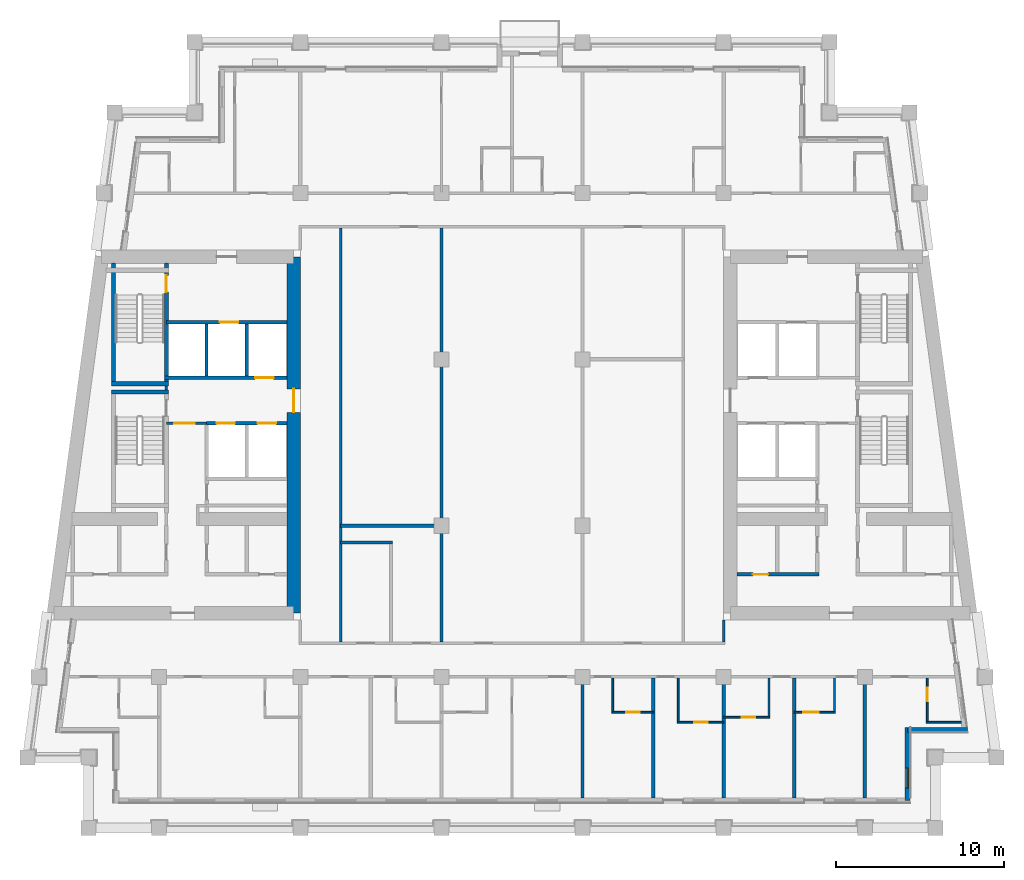
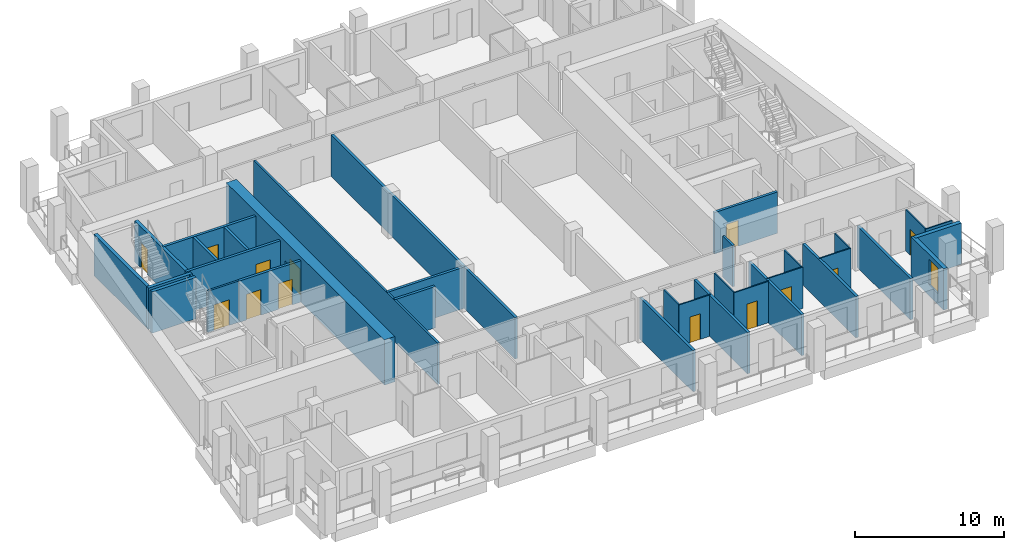
# One storey, part 4 of 13: 35 walls, 13 doors, 1 window, 14 openings.
"""IFC4 building model written with IfcOpenShell, lengths in metres."""

import ifcopenshell
import ifcopenshell.guid

model = None  # the IFC model being written
_history = None  # IfcOwnerHistory: only IFC2X3 demands one
_inside = {}  # id of a spatial element -> (the spatial element, [elements in it])
_under = {}  # id of a project, library or spatial element -> (it, [spatial elements below it])
_declared = {}  # id of a project -> (the project, [libraries it declares])
_typed = {}  # id of a type object -> (the type object, [elements of that type])
_made_of = {}  # id of a material, layer set ... -> (it, [elements and type objects made of it])


def new_model(schema):
    """Start an empty IFC model of exactly this schema.

    Asked for "IFC4X3", IfcOpenShell would pick the latest addendum, in which some entities
    have other attributes; the version numbers below select the first issue.
    IFC2X3 requires an IfcOwnerHistory on every rooted entity: one is made here for all.
    """
    global model, _history
    if schema == "IFC4X3":
        model = ifcopenshell.file(schema_version=(4, 3, 0, 0))
    else:
        model = ifcopenshell.file(schema=schema)
    _inside.clear()
    _under.clear()
    _declared.clear()
    _typed.clear()
    _made_of.clear()
    _history = None
    if model.schema == "IFC2X3":
        org = make("IfcOrganization", Name="unknown")
        user = make(
            "IfcPersonAndOrganization",
            ThePerson=make("IfcPerson", FamilyName="unknown"),
            TheOrganization=org,
        )
        app = make(
            "IfcApplication",
            ApplicationDeveloper=org,
            Version="unknown",
            ApplicationFullName="unknown",
            ApplicationIdentifier="unknown",
        )
        _history = make(
            "IfcOwnerHistory",
            OwningUser=user,
            OwningApplication=app,
            ChangeAction="ADDED",
            CreationDate=0,
        )
    return model


def make(cls, **values):
    """One entity of the class cls with the attributes given. An attribute that is None is left unset."""
    return model.create_entity(
        cls, **{name: value for name, value in values.items() if value is not None}
    )


def rooted(cls, **values):
    """An entity with a GlobalId (a new one), such as an element, a storey or a relation."""
    return make(cls, GlobalId=ifcopenshell.guid.new(), OwnerHistory=_history, **values)


def si_unit(unit_type, name, prefix=None):
    """IfcSIUnit, for example si_unit("LENGTHUNIT", "METRE", prefix="MILLI")."""
    return make("IfcSIUnit", UnitType=unit_type, Prefix=prefix, Name=name)


def assignment(units):
    """IfcUnitAssignment: the units of a project."""
    return None if units is None else make("IfcUnitAssignment", Units=units)


def point(xyz):
    """IfcCartesianPoint."""
    return None if xyz is None else make("IfcCartesianPoint", Coordinates=xyz)


def direction(xyz):
    """IfcDirection."""
    return None if xyz is None else make("IfcDirection", DirectionRatios=xyz)


def frame(location, z_axis=None, x_axis=None):
    """IfcAxis2Placement3D, a coordinate frame: its origin and axes. An axis left out is left unset."""
    return make(
        "IfcAxis2Placement3D",
        Location=point(location),
        Axis=direction(z_axis),
        RefDirection=direction(x_axis),
    )


def frame_2d(location, x_axis=None):
    """IfcAxis2Placement2D, a coordinate frame in the plane: its origin and x axis."""
    return make(
        "IfcAxis2Placement2D", Location=point(location), RefDirection=direction(x_axis)
    )


def origin():
    """The frame at (0, 0, 0) with its axes left unset."""
    return frame((0.0, 0.0, 0.0))


def place(relative_to, where):
    """IfcLocalPlacement: puts the frame where relative to a parent placement (None: the world)."""
    return make(
        "IfcLocalPlacement", PlacementRelTo=relative_to, RelativePlacement=where
    )


def context(
    kind, dimensions, precision=None, world=None, true_north=None, identifier=None
):
    """IfcGeometricRepresentationContext, for example the 3D "Model" context."""
    return make(
        "IfcGeometricRepresentationContext",
        ContextIdentifier=identifier,
        ContextType=kind,
        CoordinateSpaceDimension=dimensions,
        Precision=precision,
        WorldCoordinateSystem=world,
        TrueNorth=true_north,
    )


def subcontext(parent, identifier, kind, view, scale=None):
    """IfcGeometricRepresentationSubContext, for example "Body" below "Model"."""
    return make(
        "IfcGeometricRepresentationSubContext",
        ContextIdentifier=identifier,
        ContextType=kind,
        ParentContext=parent,
        TargetScale=scale,
        TargetView=view,
    )


def project(units=None, contexts=None):
    """IfcProject with its units and contexts."""
    return rooted(
        "IfcProject",
        Name="project",
        RepresentationContexts=contexts,
        UnitsInContext=assignment(units),
    )


def spatial(cls, under=None, at=None, **own):
    """A site, building, storey or space (cls), placed at a placement, below another one or the project."""
    s = rooted(cls, ObjectPlacement=at, **own)
    if under is not None:
        _under.setdefault(under.id(), (under, []))[1].append(s)
    return s


def profile(cls, at=None, kind="AREA", **sizes):
    """A parametric profile (cls). Its sizes go by their IFC names, for example OverallWidth=200.0."""
    return make(cls, ProfileType=kind, Position=at, **sizes)


def rectangle(**sizes):
    """IfcRectangleProfileDef."""
    return profile("IfcRectangleProfileDef", **sizes)


def extrude(swept, where, along, depth):
    """IfcExtrudedAreaSolid: the profile swept, set in the frame where, extruded along a direction by depth."""
    return make(
        "IfcExtrudedAreaSolid",
        SweptArea=swept,
        Position=where,
        ExtrudedDirection=direction(along),
        Depth=depth,
    )


def shape(context_of_items, identifier, shape_type, items):
    """IfcShapeRepresentation: the items that make up one representation, for example the "Body"."""
    return make(
        "IfcShapeRepresentation",
        ContextOfItems=context_of_items,
        RepresentationIdentifier=identifier,
        RepresentationType=shape_type,
        Items=items,
    )


def material(Name=None, Category=None):
    """IfcMaterial."""
    return make("IfcMaterial", Name=Name, Category=Category)


def layer(
    of_material, thickness, ventilated=None, Name=None, Category=None, Priority=None
):
    """IfcMaterialLayer: one layer of a wall or slab, of a material (None: an air gap)."""
    return make(
        "IfcMaterialLayer",
        Material=of_material,
        LayerThickness=thickness,
        IsVentilated=ventilated,
        Name=Name,
        Category=Category,
        Priority=Priority,
    )


def layer_set(layers, Name=None):
    """IfcMaterialLayerSet."""
    return make("IfcMaterialLayerSet", MaterialLayers=layers, LayerSetName=Name)


def made_of(thing, what):
    """Note that an element or type object is made of a material, layer set ...; save() writes the relation."""
    if what is not None:
        _made_of.setdefault(what.id(), (what, []))[1].append(thing)
    return thing


def type_object(cls, material=None, **own):
    """A type object (cls), such as IfcWallType, which elements share."""
    return made_of(rooted(cls, **own), material)


def element(
    cls,
    number,
    at=None,
    inside=None,
    cuts=None,
    type_object=None,
    material=None,
    context=None,
    identifier="Body",
    shape_type=None,
    held_by="IfcProductDefinitionShape",
    body=None,
    shapes=None,
    **own,
):
    """One element of the class cls, such as IfcWall. Its Tag is "e" and its number.

    at: its placement. inside: the storey or other place that contains it. cuts: it is an
    opening in that element (IfcRelVoidsElement). A single representation is given by context,
    identifier, shape_type and body (its items); several are given by shapes. held_by: the class
    of the entity that holds the representations. save() writes the other relations.
    """
    e = rooted(cls, Tag="e%d" % number, ObjectPlacement=at, **own)
    if body is not None:
        shapes = [shape(context, identifier, shape_type, body)]
    if shapes is not None:
        e.Representation = make(held_by, Representations=shapes)
    if inside is not None:
        _inside.setdefault(inside.id(), (inside, []))[1].append(e)
    if cuts is not None:
        rooted(
            "IfcRelVoidsElement", RelatingBuildingElement=cuts, RelatedOpeningElement=e
        )
    if type_object is not None:
        _typed.setdefault(type_object.id(), (type_object, []))[1].append(e)
    return made_of(e, material)


def fill(opening, filler):
    """IfcRelFillsElement: the door or window that sits in an opening."""
    return rooted(
        "IfcRelFillsElement",
        RelatingOpeningElement=opening,
        RelatedBuildingElement=filler,
    )


def aggregate(whole, parts):
    """IfcRelAggregates: a whole, such as a stair, and the parts it consists of."""
    return rooted("IfcRelAggregates", RelatingObject=whole, RelatedObjects=parts)


def save(model, path):
    """Write the relations noted so far, then the file.

    IfcRelAggregates (storeys below a building ...), IfcRelContainedInSpatialStructure (elements
    in a storey), IfcRelDefinesByType, IfcRelAssociatesMaterial and IfcRelDeclares: one each for
    every whole, place, type object, material and project.
    """
    for whole, parts in _under.values():
        aggregate(whole, parts)
    for where, things in _inside.values():
        rooted(
            "IfcRelContainedInSpatialStructure",
            RelatedElements=things,
            RelatingStructure=where,
        )
    for kind, things in _typed.values():
        rooted("IfcRelDefinesByType", RelatedObjects=things, RelatingType=kind)
    for what, things in _made_of.values():
        rooted("IfcRelAssociatesMaterial", RelatedObjects=things, RelatingMaterial=what)
    for by, libraries in _declared.values():
        rooted("IfcRelDeclares", RelatingContext=by, RelatedDefinitions=libraries)
    model.write(path)


model = new_model("IFC4")

# Units and contexts
model_context = context("Model", 3, precision=1e-05, world=origin(), true_north=direction((0.0, 1.0)))
body_context = subcontext(model_context, "Body", "Model", "MODEL_VIEW")
ifc_project = project(units=[si_unit("LENGTHUNIT", "METRE"), si_unit("AREAUNIT", "SQUARE_METRE"), si_unit("VOLUMEUNIT", "CUBIC_METRE"), si_unit("PLANEANGLEUNIT", "RADIAN"), si_unit("MASSUNIT", "GRAM", prefix="KILO")], contexts=[model_context])

# Site, building, storey
site_placement = place(None, origin())
site = spatial("IfcSite", under=ifc_project, at=site_placement, CompositionType="ELEMENT")
building_placement = place(site_placement, origin())
building = spatial("IfcBuilding", under=site, at=building_placement, Name="Candeia Pilgrim Tower and Theatre", CompositionType="ELEMENT")
storey_placement = place(building_placement, frame((0.0, 0.0, 220.699951171875)))
storey = spatial("IfcBuildingStorey", under=building, at=storey_placement, Name="L53", CompositionType="ELEMENT", Elevation=220.699951171875)

# Wall, opening, door
ifc_material_1 = material(Name="Concrete C50/60", Category="concrete")
ifc_layer_1 = layer(ifc_material_1, 0.800048828125)
ifc_layer_set_1 = layer_set([ifc_layer_1], Name="Core wall 800 C50/60")
wall_type_1 = type_object("IfcWallType", Name="Core wall 800 C50/60", PredefinedType="SHEAR", material=ifc_layer_set_1)
wall_1_placement = place(storey_placement, frame((100.39990234375, 132.0, 0.0), z_axis=(0.0, 0.0, 1.0), x_axis=(0.0, -1.0, 0.0)))
wall_1 = element("IfcWall", 1, at=wall_1_placement, inside=storey, type_object=wall_type_1, Name="Core wall W2", PredefinedType="SHEAR", context=body_context, shape_type="SweptSolid", body=[
    extrude(rectangle(XDim=21.199951171875, YDim=0.800048828125, at=frame_2d((10.60009765625, 0.0))), origin(), (0.0, 0.0, 1.0), 3.699951171875),
])
opening_1_placement = place(wall_1_placement, frame((7.85009765625, 0.0, 0.0)))
opening_1 = element("IfcOpeningElement", 2, at=opening_1_placement, cuts=wall_1, Name="Opening L53-D058", PredefinedType="OPENING", context=body_context, shape_type="SweptSolid", body=[
    extrude(rectangle(XDim=1.39990234375, YDim=2.10009765625, at=frame_2d((0.699951171875, 1.050048828125))), frame((0.0, 0.41015625, 0.0), z_axis=(0.0, -1.0, 0.0), x_axis=(1.0, 0.0, 0.0)), (0.0, 0.0, 1.0), 0.820068359375),
])
ifc_material_2 = material(Name="Steel fire door set", Category="steel")
door_type_1 = type_object("IfcDoorType", Name="D-1400-FD60", OperationType="NOTDEFINED", PredefinedType="DOOR", material=ifc_material_2)
door_1_placement = place(opening_1_placement, origin())
door_1 = element("IfcDoor", 3, at=door_1_placement, inside=storey, type_object=door_type_1, Name="Door L53-D058", OperationType="SINGLE_SWING_LEFT", OverallHeight=2.10009765625, OverallWidth=1.39990234375, PredefinedType="DOOR", context=body_context, shape_type="SweptSolid", body=[
    extrude(rectangle(XDim=1.39990234375, YDim=2.10009765625, at=frame_2d((0.699951171875, 1.050048828125))), frame((0.0, 0.02490234375, 0.0), z_axis=(0.0, -1.0, 0.0), x_axis=(1.0, 0.0, 0.0)), (0.0, 0.0, 1.0), 0.050048828125),
])
fill(opening_1, door_1)

# Wall, opening, window
ifc_material_3 = material(Name="Ceramic block masonry", Category="masonry")
ifc_layer_2 = layer(ifc_material_3, 0.300048828125)
ifc_layer_set_2 = layer_set([ifc_layer_2], Name="EW1 glazing-line wall 300")
wall_type_2 = type_object("IfcWallType", Name="EW1 glazing-line wall 300", PredefinedType="SOLIDWALL", material=ifc_layer_set_2)
wall_2_placement = place(storey_placement, frame((136.949951171875, 99.64990234375, 0.0), z_axis=(0.0, 0.0, 1.0), x_axis=(0.0, 1.0, 0.0)))
wall_2 = element("IfcWall", 4, at=wall_2_placement, inside=storey, type_object=wall_type_2, Name="External wall L53-1.0", PredefinedType="SOLIDWALL", context=body_context, shape_type="SweptSolid", body=[
    extrude(rectangle(XDim=4.35009765625, YDim=0.300048828125, at=frame_2d((2.175048828125, 0.0))), origin(), (0.0, 0.0, 1.0), 3.380126953125),
])
opening_2_placement = place(wall_2_placement, frame((0.72509765625, 0.0, 0.89990234375)))
opening_2 = element("IfcOpeningElement", 5, at=opening_2_placement, cuts=wall_2, Name="Opening W-B", PredefinedType="OPENING", context=body_context, shape_type="SweptSolid", body=[
    extrude(rectangle(XDim=1.199951171875, YDim=2.10009765625, at=frame_2d((0.60009765625, 1.050048828125))), frame((0.0, 0.16015625, 0.0), z_axis=(0.0, -1.0, 0.0), x_axis=(1.0, 0.0, 0.0)), (0.0, 0.0, 1.0), 0.320068359375),
])
ifc_material_4 = material(Name="Aluminium framed double glazing", Category="aluminium")
window_type = type_object("IfcWindowType", Name="W-B window 1200x2100", PartitioningType="SINGLE_PANEL", PredefinedType="WINDOW", material=ifc_material_4)
window_placement = place(opening_2_placement, origin())
window = element("IfcWindow", 6, at=window_placement, inside=storey, type_object=window_type, Name="Window W-B L53", OverallHeight=2.10009765625, OverallWidth=1.199951171875, PartitioningType="SINGLE_PANEL", PredefinedType="WINDOW", context=body_context, shape_type="SweptSolid", body=[
    extrude(rectangle(XDim=1.199951171875, YDim=2.10009765625, at=frame_2d((0.60009765625, 1.050048828125))), frame((0.0, 0.030029296875, 0.0), z_axis=(0.0, -1.0, 0.0), x_axis=(1.0, 0.0, 0.0)), (0.0, 0.0, 1.0), 0.06005859375),
])
fill(opening_2, window)

# Wall
wall_3_placement = place(storey_placement, frame((136.949951171875, 103.85009765625, 0.0), z_axis=(0.0, 0.0, 1.0), x_axis=(1.0, 0.0, 0.0)))
element("IfcWall", 7, at=wall_3_placement, inside=storey, type_object=wall_type_2, Name="External wall L53-2.0", PredefinedType="SOLIDWALL", context=body_context, shape_type="SweptSolid", body=[
    extrude(rectangle(XDim=3.569091796875, YDim=0.300048828125, at=frame_2d((1.78466796875, 0.0))), origin(), (0.0, 0.0, 1.0), 3.380126953125),
])

# Wall, opening, door
ifc_material_5 = material(Name="Gypsum board partition on steel studs", Category="steel")
ifc_layer_3 = layer(ifc_material_5, 0.10009765625)
ifc_layer_set_3 = layer_set([ifc_layer_3], Name="PW-100 room partition")
wall_type_3 = type_object("IfcWallType", Name="PW-100 room partition", PredefinedType="PARTITIONING", material=ifc_layer_set_3)
wall_4_placement = place(storey_placement, frame((123.25, 104.300048828125, 0.0), z_axis=(0.0, 0.0, 1.0), x_axis=(1.0, 0.0, 0.0)))
wall_4 = element("IfcWall", 8, at=wall_4_placement, inside=storey, type_object=wall_type_3, Name="Room partition L53-002", PredefinedType="PARTITIONING", context=body_context, shape_type="SweptSolid", body=[
    extrude(rectangle(XDim=2.75, YDim=0.10009765625, at=frame_2d((1.375, 0.0))), origin(), (0.0, 0.0, 1.0), 3.380126953125),
])
opening_3_placement = place(wall_4_placement, frame((1.0, 0.0, 0.0)))
opening_3 = element("IfcOpeningElement", 9, at=opening_3_placement, cuts=wall_4, Name="Opening L53-D030", PredefinedType="OPENING", context=body_context, shape_type="SweptSolid", body=[
    extrude(rectangle(XDim=0.800048828125, YDim=2.10009765625, at=frame_2d((0.39990234375, 1.050048828125))), frame((0.0, 0.06005859375, 0.0), z_axis=(0.0, -1.0, 0.0), x_axis=(1.0, 0.0, 0.0)), (0.0, 0.0, 1.0), 0.1201171875),
])
ifc_material_6 = material(Name="Timber door leaf", Category="wood")
door_type_2 = type_object("IfcDoorType", Name="D-800", OperationType="NOTDEFINED", PredefinedType="DOOR", material=ifc_material_6)
door_2_placement = place(opening_3_placement, origin())
door_2 = element("IfcDoor", 10, at=door_2_placement, inside=storey, type_object=door_type_2, Name="Door L53-D030", OperationType="SINGLE_SWING_LEFT", OverallHeight=2.10009765625, OverallWidth=0.800048828125, PredefinedType="DOOR", context=body_context, shape_type="SweptSolid", body=[
    extrude(rectangle(XDim=0.800048828125, YDim=2.10009765625, at=frame_2d((0.39990234375, 1.050048828125))), frame((0.0, 0.02490234375, 0.0), z_axis=(0.0, -1.0, 0.0), x_axis=(1.0, 0.0, 0.0)), (0.0, 0.0, 1.0), 0.050048828125),
])
fill(opening_3, door_2)

# Wall
wall_5_placement = place(storey_placement, frame((138.070068359375, 104.300048828125, 0.0), z_axis=(0.0, 0.0, 1.0), x_axis=(1.0, 0.0, 0.0)))
element("IfcWall", 11, at=wall_5_placement, inside=storey, type_object=wall_type_3, Name="Room partition L53-003", PredefinedType="PARTITIONING", context=body_context, shape_type="SweptSolid", body=[
    extrude(rectangle(XDim=2.07568359375, YDim=0.10009765625, at=frame_2d((1.037841796875, 0.0))), origin(), (0.0, 0.0, 1.0), 3.380126953125),
])

# Wall, opening, door
wall_6_placement = place(storey_placement, frame((126.0, 104.60009765625, 0.0), z_axis=(0.0, 0.0, 1.0), x_axis=(1.0, 0.0, 0.0)))
wall_6 = element("IfcWall", 12, at=wall_6_placement, inside=storey, type_object=wall_type_3, Name="Room partition L53-006", PredefinedType="PARTITIONING", context=body_context, shape_type="SweptSolid", body=[
    extrude(rectangle(XDim=2.75, YDim=0.10009765625, at=frame_2d((1.375, 0.0))), origin(), (0.0, 0.0, 1.0), 3.380126953125),
])
opening_4_placement = place(wall_6_placement, frame((1.070068359375, 0.0, 0.0)))
opening_4 = element("IfcOpeningElement", 13, at=opening_4_placement, cuts=wall_6, Name="Opening L53-D032", PredefinedType="OPENING", context=body_context, shape_type="SweptSolid", body=[
    extrude(rectangle(XDim=0.800048828125, YDim=2.10009765625, at=frame_2d((0.39990234375, 1.050048828125))), frame((0.0, 0.06005859375, 0.0), z_axis=(0.0, -1.0, 0.0), x_axis=(1.0, 0.0, 0.0)), (0.0, 0.0, 1.0), 0.1201171875),
])
door_3_placement = place(opening_4_placement, origin())
door_3 = element("IfcDoor", 14, at=door_3_placement, inside=storey, type_object=door_type_2, Name="Door L53-D032", OperationType="SINGLE_SWING_LEFT", OverallHeight=2.10009765625, OverallWidth=0.800048828125, PredefinedType="DOOR", context=body_context, shape_type="SweptSolid", body=[
    extrude(rectangle(XDim=0.800048828125, YDim=2.10009765625, at=frame_2d((0.39990234375, 1.050048828125))), frame((0.0, 0.02490234375, 0.0), z_axis=(0.0, -1.0, 0.0), x_axis=(1.0, 0.0, 0.0)), (0.0, 0.0, 1.0), 0.050048828125),
])
fill(opening_4, door_3)

wall_7_placement = place(storey_placement, frame((119.35009765625, 104.89990234375, 0.0), z_axis=(0.0, 0.0, 1.0), x_axis=(1.0, 0.0, 0.0)))
wall_7 = element("IfcWall", 15, at=wall_7_placement, inside=storey, type_object=wall_type_3, Name="Room partition L53-008", PredefinedType="PARTITIONING", context=body_context, shape_type="SweptSolid", body=[
    extrude(rectangle(XDim=2.449951171875, YDim=0.10009765625, at=frame_2d((1.22509765625, 0.0))), origin(), (0.0, 0.0, 1.0), 3.380126953125),
])
opening_5_placement = place(wall_7_placement, frame((0.85009765625, 0.0, 0.0)))
opening_5 = element("IfcOpeningElement", 16, at=opening_5_placement, cuts=wall_7, Name="Opening L53-D028", PredefinedType="OPENING", context=body_context, shape_type="SweptSolid", body=[
    extrude(rectangle(XDim=0.800048828125, YDim=2.10009765625, at=frame_2d((0.39990234375, 1.050048828125))), frame((0.0, 0.06005859375, 0.0), z_axis=(0.0, -1.0, 0.0), x_axis=(1.0, 0.0, 0.0)), (0.0, 0.0, 1.0), 0.1201171875),
])
door_4_placement = place(opening_5_placement, origin())
door_4 = element("IfcDoor", 17, at=door_4_placement, inside=storey, type_object=door_type_2, Name="Door L53-D028", OperationType="SINGLE_SWING_LEFT", OverallHeight=2.10009765625, OverallWidth=0.800048828125, PredefinedType="DOOR", context=body_context, shape_type="SweptSolid", body=[
    extrude(rectangle(XDim=0.800048828125, YDim=2.10009765625, at=frame_2d((0.39990234375, 1.050048828125))), frame((0.0, 0.02490234375, 0.0), z_axis=(0.0, -1.0, 0.0), x_axis=(1.0, 0.0, 0.0)), (0.0, 0.0, 1.0), 0.050048828125),
])
fill(opening_5, door_4)

wall_8_placement = place(storey_placement, frame((130.199951171875, 104.89990234375, 0.0), z_axis=(0.0, 0.0, 1.0), x_axis=(1.0, 0.0, 0.0)))
wall_8 = element("IfcWall", 18, at=wall_8_placement, inside=storey, type_object=wall_type_3, Name="Room partition L53-009", PredefinedType="PARTITIONING", context=body_context, shape_type="SweptSolid", body=[
    extrude(rectangle(XDim=2.449951171875, YDim=0.10009765625, at=frame_2d((1.22509765625, 0.0))), origin(), (0.0, 0.0, 1.0), 3.380126953125),
])
opening_6_placement = place(wall_8_placement, frame((0.550048828125, 0.0, 0.0)))
opening_6 = element("IfcOpeningElement", 19, at=opening_6_placement, cuts=wall_8, Name="Opening L53-D034", PredefinedType="OPENING", context=body_context, shape_type="SweptSolid", body=[
    extrude(rectangle(XDim=0.89990234375, YDim=2.10009765625, at=frame_2d((0.449951171875, 1.050048828125))), frame((0.0, 0.06005859375, 0.0), z_axis=(0.0, -1.0, 0.0), x_axis=(1.0, 0.0, 0.0)), (0.0, 0.0, 1.0), 0.1201171875),
])
door_type_3 = type_object("IfcDoorType", Name="D-900", OperationType="NOTDEFINED", PredefinedType="DOOR", material=ifc_material_6)
door_5_placement = place(opening_6_placement, origin())
door_5 = element("IfcDoor", 20, at=door_5_placement, inside=storey, type_object=door_type_3, Name="Door L53-D034", OperationType="SINGLE_SWING_LEFT", OverallHeight=2.10009765625, OverallWidth=0.89990234375, PredefinedType="DOOR", context=body_context, shape_type="SweptSolid", body=[
    extrude(rectangle(XDim=0.89990234375, YDim=2.10009765625, at=frame_2d((0.449951171875, 1.050048828125))), frame((0.0, 0.02490234375, 0.0), z_axis=(0.0, -1.0, 0.0), x_axis=(1.0, 0.0, 0.0)), (0.0, 0.0, 1.0), 0.050048828125),
])
fill(opening_6, door_5)

# Walls
wall_9_placement = place(storey_placement, frame((119.39990234375, 104.949951171875, 0.0), z_axis=(0.0, 0.0, 1.0), x_axis=(0.0, 1.0, 0.0)))
element("IfcWall", 21, at=wall_9_placement, inside=storey, type_object=wall_type_3, Name="Room partition L53-091", PredefinedType="PARTITIONING", context=body_context, shape_type="SweptSolid", body=[
    extrude(rectangle(XDim=1.97509765625, YDim=0.10009765625, at=frame_2d((0.987548828125, 0.0))), origin(), (0.0, 0.0, 1.0), 3.380126953125),
])
wall_10_placement = place(storey_placement, frame((123.300048828125, 104.35009765625, 0.0), z_axis=(0.0, 0.0, 1.0), x_axis=(0.0, 1.0, 0.0)))
element("IfcWall", 22, at=wall_10_placement, inside=storey, type_object=wall_type_3, Name="Room partition L53-093", PredefinedType="PARTITIONING", context=body_context, shape_type="SweptSolid", body=[
    extrude(rectangle(XDim=2.574951171875, YDim=0.10009765625, at=frame_2d((1.28759765625, 0.0))), origin(), (0.0, 0.0, 1.0), 3.380126953125),
])
wall_11_placement = place(storey_placement, frame((128.699951171875, 104.64990234375, 0.0), z_axis=(0.0, 0.0, 1.0), x_axis=(0.0, 1.0, 0.0)))
element("IfcWall", 23, at=wall_11_placement, inside=storey, type_object=wall_type_3, Name="Room partition L53-100", PredefinedType="PARTITIONING", context=body_context, shape_type="SweptSolid", body=[
    extrude(rectangle(XDim=2.275146484375, YDim=0.10009765625, at=frame_2d((1.1376953125, 0.0))), origin(), (0.0, 0.0, 1.0), 3.380126953125),
])
wall_12_placement = place(storey_placement, frame((132.60009765625, 104.949951171875, 0.0), z_axis=(0.0, 0.0, 1.0), x_axis=(0.0, 1.0, 0.0)))
element("IfcWall", 24, at=wall_12_placement, inside=storey, type_object=wall_type_3, Name="Room partition L53-110", PredefinedType="PARTITIONING", context=body_context, shape_type="SweptSolid", body=[
    extrude(rectangle(XDim=1.97509765625, YDim=0.10009765625, at=frame_2d((0.987548828125, 0.0))), origin(), (0.0, 0.0, 1.0), 3.380126953125),
])

# Wall, opening, door
wall_13_placement = place(storey_placement, frame((138.1201171875, 104.35009765625, 0.0), z_axis=(0.0, 0.0, 1.0), x_axis=(0.0, 1.0, 0.0)))
wall_13 = element("IfcWall", 25, at=wall_13_placement, inside=storey, type_object=wall_type_3, Name="Room partition L53-121", PredefinedType="PARTITIONING", context=body_context, shape_type="SweptSolid", body=[
    extrude(rectangle(XDim=2.574951171875, YDim=0.10009765625, at=frame_2d((1.28759765625, 0.0))), origin(), (0.0, 0.0, 1.0), 3.380126953125),
])
opening_7_placement = place(wall_13_placement, frame((1.199951171875, 0.0, 0.0)))
opening_7 = element("IfcOpeningElement", 26, at=opening_7_placement, cuts=wall_13, Name="Opening L53-D036", PredefinedType="OPENING", context=body_context, shape_type="SweptSolid", body=[
    extrude(rectangle(XDim=0.800048828125, YDim=2.10009765625, at=frame_2d((0.39990234375, 1.050048828125))), frame((0.0, 0.06005859375, 0.0), z_axis=(0.0, -1.0, 0.0), x_axis=(1.0, 0.0, 0.0)), (0.0, 0.0, 1.0), 0.1201171875),
])
door_6_placement = place(opening_7_placement, origin())
door_6 = element("IfcDoor", 27, at=door_6_placement, inside=storey, type_object=door_type_2, Name="Door L53-D036", OperationType="SINGLE_SWING_LEFT", OverallHeight=2.10009765625, OverallWidth=0.800048828125, PredefinedType="DOOR", context=body_context, shape_type="SweptSolid", body=[
    extrude(rectangle(XDim=0.800048828125, YDim=2.10009765625, at=frame_2d((0.39990234375, 1.050048828125))), frame((0.0, 0.02490234375, 0.0), z_axis=(0.0, -1.0, 0.0), x_axis=(1.0, 0.0, 0.0)), (0.0, 0.0, 1.0), 0.050048828125),
])
fill(opening_7, door_6)

ifc_layer_4 = layer(ifc_material_5, 0.14990234375)
ifc_layer_set_4 = layer_set([ifc_layer_4], Name="PW-150 lobby wall")
wall_type_4 = type_object("IfcWallType", Name="PW-150 lobby wall", PredefinedType="PARTITIONING", material=ifc_layer_set_4)
wall_14_placement = place(storey_placement, frame((92.826904296875, 122.10009765625, 0.0), z_axis=(0.0, 0.0, 1.0), x_axis=(1.0, 0.0, 0.0)))
wall_14 = element("IfcWall", 28, at=wall_14_placement, inside=storey, type_object=wall_type_4, Name="Lobby wall L53-028", PredefinedType="PARTITIONING", context=body_context, shape_type="SweptSolid", body=[
    extrude(rectangle(XDim=2.400146484375, YDim=0.14990234375, at=frame_2d((1.2001953125, 0.0))), origin(), (0.0, 0.0, 1.0), 3.380126953125),
])
opening_8_placement = place(wall_14_placement, frame((0.47509765625, 0.0, 0.0)))
opening_8 = element("IfcOpeningElement", 29, at=opening_8_placement, cuts=wall_14, Name="Opening L53-D001", PredefinedType="OPENING", context=body_context, shape_type="SweptSolid", body=[
    extrude(rectangle(XDim=1.199951171875, YDim=2.10009765625, at=frame_2d((0.60009765625, 1.050048828125))), frame((0.0, 0.0849609375, 0.0), z_axis=(0.0, -1.0, 0.0), x_axis=(1.0, 0.0, 0.0)), (0.0, 0.0, 1.0), 0.169921875),
])
door_type_4 = type_object("IfcDoorType", Name="D-1200-FD60", OperationType="NOTDEFINED", PredefinedType="DOOR", material=ifc_material_2)
door_7_placement = place(opening_8_placement, origin())
door_7 = element("IfcDoor", 30, at=door_7_placement, inside=storey, type_object=door_type_4, Name="Door L53-D001", OperationType="SINGLE_SWING_RIGHT", OverallHeight=2.10009765625, OverallWidth=1.199951171875, PredefinedType="DOOR", context=body_context, shape_type="SweptSolid", body=[
    extrude(rectangle(XDim=1.199951171875, YDim=2.10009765625, at=frame_2d((0.60009765625, 1.050048828125))), frame((0.0, 0.02490234375, 0.0), z_axis=(0.0, -1.0, 0.0), x_axis=(1.0, 0.0, 0.0)), (0.0, 0.0, 1.0), 0.050048828125),
])
fill(opening_8, door_7)

# Walls
wall_15_placement = place(storey_placement, frame((92.826904296875, 124.074951171875, 0.0), z_axis=(0.0, 0.0, 1.0), x_axis=(0.0, 1.0, 0.0)))
element("IfcWall", 31, at=wall_15_placement, inside=storey, type_object=wall_type_4, Name="Lobby wall L53-059", PredefinedType="PARTITIONING", context=body_context, shape_type="SweptSolid", body=[
    extrude(rectangle(XDim=0.25, YDim=0.14990234375, at=frame_2d((0.125, 0.0))), origin(), (0.0, 0.0, 1.0), 3.380126953125),
])
ifc_layer_5 = layer(ifc_material_5, 0.14990234375)
ifc_layer_set_5 = layer_set([ifc_layer_5], Name="PW-150 unit wall")
wall_type_5 = type_object("IfcWallType", Name="PW-150 unit wall", PredefinedType="PARTITIONING", material=ifc_layer_set_5)
wall_16_placement = place(storey_placement, frame((103.199951171875, 109.074951171875, 0.0), z_axis=(0.0, 0.0, 1.0), x_axis=(0.0, 1.0, 0.0)))
element("IfcWall", 32, at=wall_16_placement, inside=storey, type_object=wall_type_5, Name="Unit wall L53-076", PredefinedType="PARTITIONING", context=body_context, shape_type="SweptSolid", body=[
    extrude(rectangle(XDim=24.650146484375, YDim=0.14990234375, at=frame_2d((12.3251953125, 0.0))), origin(), (0.0, 0.0, 1.0), 3.380126953125),
])
wall_17_placement = place(storey_placement, frame((126.0, 109.074951171875, 0.0), z_axis=(0.0, 0.0, 1.0), x_axis=(0.0, 1.0, 0.0)))
element("IfcWall", 33, at=wall_17_placement, inside=storey, type_object=wall_type_5, Name="Unit wall L53-098", PredefinedType="PARTITIONING", context=body_context, shape_type="SweptSolid", body=[
    extrude(rectangle(XDim=1.324951171875, YDim=0.14990234375, at=frame_2d((0.66259765625, 0.0))), origin(), (0.0, 0.0, 1.0), 3.380126953125),
])
ifc_layer_6 = layer(ifc_material_5, 0.199951171875)
ifc_layer_set_6 = layer_set([ifc_layer_6], Name="PW-200 party wall")
wall_type_6 = type_object("IfcWallType", Name="PW-200 party wall", PredefinedType="PARTITIONING", material=ifc_layer_set_6)
wall_18_placement = place(storey_placement, frame((103.199951171875, 115.0, 0.0), z_axis=(0.0, 0.0, 1.0), x_axis=(1.0, 0.0, 0.0)))
element("IfcWall", 34, at=wall_18_placement, inside=storey, type_object=wall_type_6, Name="Party wall L53-016", PredefinedType="PARTITIONING", context=body_context, shape_type="SweptSolid", body=[
    extrude(rectangle(XDim=3.10009765625, YDim=0.199951171875, at=frame_2d((1.550048828125, 0.0))), origin(), (0.0, 0.0, 1.0), 3.380126953125),
])
wall_19_placement = place(storey_placement, frame((103.199951171875, 116.0, 0.0), z_axis=(0.0, 0.0, 1.0), x_axis=(1.0, 0.0, 0.0)))
element("IfcWall", 35, at=wall_19_placement, inside=storey, type_object=wall_type_6, Name="Party wall L53-017", PredefinedType="PARTITIONING", context=body_context, shape_type="SweptSolid", body=[
    extrude(rectangle(XDim=6.0, YDim=0.199951171875, at=frame_2d((3.0, 0.0))), origin(), (0.0, 0.0, 1.0), 3.380126953125),
])
wall_20_placement = place(storey_placement, frame((109.199951171875, 109.074951171875, 0.0), z_axis=(0.0, 0.0, 1.0), x_axis=(0.0, 1.0, 0.0)))
element("IfcWall", 36, at=wall_20_placement, inside=storey, type_object=wall_type_6, Name="Party wall L53-082", PredefinedType="PARTITIONING", context=body_context, shape_type="SweptSolid", body=[
    extrude(rectangle(XDim=24.650146484375, YDim=0.199951171875, at=frame_2d((12.3251953125, 0.0))), origin(), (0.0, 0.0, 1.0), 3.380126953125),
])
for number, where, z_axis, x_axis, name in (
    (37, (117.60009765625, 99.7900390625, 0.0), (0.0, 0.0, 1.0), (0.0, 1.0, 0.0), "Party wall L53-088"),
    (38, (121.800048828125, 99.7900390625, 0.0), (0.0, 0.0, 1.0), (0.0, 1.0, 0.0), "Party wall L53-092"),
    (39, (126.0, 99.7900390625, 0.0), (0.0, 0.0, 1.0), (0.0, 1.0, 0.0), "Party wall L53-096"),
    (40, (130.199951171875, 99.7900390625, 0.0), (0.0, 0.0, 1.0), (0.0, 1.0, 0.0), "Party wall L53-104"),
    (41, (134.39990234375, 99.7900390625, 0.0), (0.0, 0.0, 1.0), (0.0, 1.0, 0.0), "Party wall L53-117"),
):
    element("IfcWall", number, at=place(storey_placement, frame(where, z_axis=z_axis, x_axis=x_axis)), inside=storey, type_object=wall_type_6, Name=name, PredefinedType="PARTITIONING", context=body_context, shape_type="SweptSolid", body=[
        extrude(rectangle(XDim=7.135009765625, YDim=0.199951171875, at=frame_2d((3.5673828125, 0.0))), origin(), (0.0, 0.0, 1.0), 3.380126953125),
    ])

# Wall, opening, door
ifc_material_7 = material(Name="Concrete C40/50", Category="concrete")
ifc_layer_7 = layer(ifc_material_7, 0.199951171875)
ifc_layer_set_7 = layer_set([ifc_layer_7], Name="SW-200 shaft wall")
wall_type_7 = type_object("IfcWallType", Name="SW-200 shaft wall", PredefinedType="PARTITIONING", material=ifc_layer_set_7)
wall_21_placement = place(storey_placement, frame((126.800048828125, 113.10009765625, 0.0), z_axis=(0.0, 0.0, 1.0), x_axis=(1.0, 0.0, 0.0)))
wall_21 = element("IfcWall", 42, at=wall_21_placement, inside=storey, type_object=wall_type_7, Name="Shaft wall L53-014", PredefinedType="PARTITIONING", context=body_context, shape_type="SweptSolid", body=[
    extrude(rectangle(XDim=4.873046875, YDim=0.199951171875, at=frame_2d((2.4365234375, 0.0))), origin(), (0.0, 0.0, 1.0), 3.380126953125),
])
opening_9_placement = place(wall_21_placement, frame((0.93994140625, 0.0, 0.0)))
opening_9 = element("IfcOpeningElement", 43, at=opening_9_placement, cuts=wall_21, Name="Opening L53-D016", PredefinedType="OPENING", context=body_context, shape_type="SweptSolid", body=[
    extrude(rectangle(XDim=0.89990234375, YDim=2.10009765625, at=frame_2d((0.449951171875, 1.050048828125))), frame((0.0, 0.10986328125, 0.0), z_axis=(0.0, -1.0, 0.0), x_axis=(1.0, 0.0, 0.0)), (0.0, 0.0, 1.0), 0.219970703125),
])
door_type_5 = type_object("IfcDoorType", Name="D-900-FD60", OperationType="NOTDEFINED", PredefinedType="DOOR", material=ifc_material_2)
door_8_placement = place(opening_9_placement, origin())
door_8 = element("IfcDoor", 44, at=door_8_placement, inside=storey, type_object=door_type_5, Name="Door L53-D016", OperationType="SINGLE_SWING_LEFT", OverallHeight=2.10009765625, OverallWidth=0.89990234375, PredefinedType="DOOR", context=body_context, shape_type="SweptSolid", body=[
    extrude(rectangle(XDim=0.89990234375, YDim=2.10009765625, at=frame_2d((0.449951171875, 1.050048828125))), frame((0.0, 0.02490234375, 0.0), z_axis=(0.0, -1.0, 0.0), x_axis=(1.0, 0.0, 0.0)), (0.0, 0.0, 1.0), 0.050048828125),
])
fill(opening_9, door_8)

# Wall, openings, doors
wall_22_placement = place(storey_placement, frame((95.22705078125, 122.10009765625, 0.0), z_axis=(0.0, 0.0, 1.0), x_axis=(1.0, 0.0, 0.0)))
wall_22 = element("IfcWall", 45, at=wall_22_placement, inside=storey, type_object=wall_type_7, Name="Shaft wall L53-026", PredefinedType="PARTITIONING", context=body_context, shape_type="SweptSolid", body=[
    extrude(rectangle(XDim=4.77294921875, YDim=0.199951171875, at=frame_2d((2.386474609375, 0.0))), origin(), (0.0, 0.0, 1.0), 3.380126953125),
])
opening_10_placement = place(wall_22_placement, frame((0.5849609375, 0.0, 0.0)))
opening_10 = element("IfcOpeningElement", 46, at=opening_10_placement, cuts=wall_22, Name="Opening L53-LD01", PredefinedType="OPENING", context=body_context, shape_type="SweptSolid", body=[
    extrude(rectangle(XDim=1.10009765625, YDim=2.10009765625, at=frame_2d((0.550048828125, 1.050048828125))), frame((0.0, 0.10986328125, 0.0), z_axis=(0.0, -1.0, 0.0), x_axis=(1.0, 0.0, 0.0)), (0.0, 0.0, 1.0), 0.219970703125),
])
opening_11_placement = place(wall_22_placement, frame((3.030029296875, 0.0, 0.0)))
opening_11 = element("IfcOpeningElement", 47, at=opening_11_placement, cuts=wall_22, Name="Opening L53-LD02", PredefinedType="OPENING", context=body_context, shape_type="SweptSolid", body=[
    extrude(rectangle(XDim=1.10009765625, YDim=2.10009765625, at=frame_2d((0.550048828125, 1.050048828125))), frame((0.0, 0.10986328125, 0.0), z_axis=(0.0, -1.0, 0.0), x_axis=(1.0, 0.0, 0.0)), (0.0, 0.0, 1.0), 0.219970703125),
])
ifc_material_8 = material(Name="Glazed aluminium landing door", Category="aluminium")
door_type_6 = type_object("IfcDoorType", Name="LD-1100-EI120", OperationType="SLIDING_TO_LEFT", PredefinedType="DOOR", material=ifc_material_8)
door_9_placement = place(opening_10_placement, origin())
door_9 = element("IfcDoor", 48, at=door_9_placement, inside=storey, type_object=door_type_6, Name="Landing door 01 L53", OperationType="SLIDING_TO_LEFT", OverallHeight=2.10009765625, OverallWidth=1.10009765625, PredefinedType="DOOR", context=body_context, shape_type="SweptSolid", body=[
    extrude(rectangle(XDim=1.10009765625, YDim=2.10009765625, at=frame_2d((0.550048828125, 1.050048828125))), frame((0.0, 0.02490234375, 0.0), z_axis=(0.0, -1.0, 0.0), x_axis=(1.0, 0.0, 0.0)), (0.0, 0.0, 1.0), 0.050048828125),
])
fill(opening_10, door_9)
door_10_placement = place(opening_11_placement, origin())
door_10 = element("IfcDoor", 49, at=door_10_placement, inside=storey, type_object=door_type_6, Name="Landing door 02 L53", OperationType="SLIDING_TO_LEFT", OverallHeight=2.10009765625, OverallWidth=1.10009765625, PredefinedType="DOOR", context=body_context, shape_type="SweptSolid", body=[
    extrude(rectangle(XDim=1.10009765625, YDim=2.10009765625, at=frame_2d((0.550048828125, 1.050048828125))), frame((0.0, 0.02490234375, 0.0), z_axis=(0.0, -1.0, 0.0), x_axis=(1.0, 0.0, 0.0)), (0.0, 0.0, 1.0), 0.050048828125),
])
fill(opening_11, door_10)

# Wall, opening, door
wall_23_placement = place(storey_placement, frame((92.701904296875, 124.800048828125, 0.0), z_axis=(0.0, 0.0, 1.0), x_axis=(1.0, 0.0, 0.0)))
wall_23 = element("IfcWall", 50, at=wall_23_placement, inside=storey, type_object=wall_type_7, Name="Shaft wall L53-034", PredefinedType="PARTITIONING", context=body_context, shape_type="SweptSolid", body=[
    extrude(rectangle(XDim=7.298095703125, YDim=0.199951171875, at=frame_2d((3.64892578125, 0.0))), origin(), (0.0, 0.0, 1.0), 3.380126953125),
])
opening_12_placement = place(wall_23_placement, frame((5.405029296875, 0.0, 0.0)))
opening_12 = element("IfcOpeningElement", 51, at=opening_12_placement, cuts=wall_23, Name="Opening L53-LD04", PredefinedType="OPENING", context=body_context, shape_type="SweptSolid", body=[
    extrude(rectangle(XDim=1.10009765625, YDim=2.10009765625, at=frame_2d((0.550048828125, 1.050048828125))), frame((0.0, 0.10986328125, 0.0), z_axis=(0.0, -1.0, 0.0), x_axis=(1.0, 0.0, 0.0)), (0.0, 0.0, 1.0), 0.219970703125),
])
door_11_placement = place(opening_12_placement, origin())
door_11 = element("IfcDoor", 52, at=door_11_placement, inside=storey, type_object=door_type_6, Name="Landing door 04 L53", OperationType="SLIDING_TO_LEFT", OverallHeight=2.10009765625, OverallWidth=1.10009765625, PredefinedType="DOOR", context=body_context, shape_type="SweptSolid", body=[
    extrude(rectangle(XDim=1.10009765625, YDim=2.10009765625, at=frame_2d((0.550048828125, 1.050048828125))), frame((0.0, 0.02490234375, 0.0), z_axis=(0.0, -1.0, 0.0), x_axis=(1.0, 0.0, 0.0)), (0.0, 0.0, 1.0), 0.050048828125),
])
fill(opening_12, door_11)

wall_24_placement = place(storey_placement, frame((92.826904296875, 128.10009765625, 0.0), z_axis=(0.0, 0.0, 1.0), x_axis=(1.0, 0.0, 0.0)))
wall_24 = element("IfcWall", 53, at=wall_24_placement, inside=storey, type_object=wall_type_7, Name="Shaft wall L53-038", PredefinedType="PARTITIONING", context=body_context, shape_type="SweptSolid", body=[
    extrude(rectangle(XDim=7.173095703125, YDim=0.199951171875, at=frame_2d((3.58642578125, 0.0))), origin(), (0.0, 0.0, 1.0), 3.380126953125),
])
opening_13_placement = place(wall_24_placement, frame((3.18408203125, 0.0, 0.0)))
opening_13 = element("IfcOpeningElement", 54, at=opening_13_placement, cuts=wall_24, Name="Opening L53-LD03", PredefinedType="OPENING", context=body_context, shape_type="SweptSolid", body=[
    extrude(rectangle(XDim=1.10009765625, YDim=2.10009765625, at=frame_2d((0.550048828125, 1.050048828125))), frame((0.0, 0.10986328125, 0.0), z_axis=(0.0, -1.0, 0.0), x_axis=(1.0, 0.0, 0.0)), (0.0, 0.0, 1.0), 0.219970703125),
])
door_12_placement = place(opening_13_placement, origin())
door_12 = element("IfcDoor", 55, at=door_12_placement, inside=storey, type_object=door_type_6, Name="Landing door 03 L53", OperationType="SLIDING_TO_LEFT", OverallHeight=2.10009765625, OverallWidth=1.10009765625, PredefinedType="DOOR", context=body_context, shape_type="SweptSolid", body=[
    extrude(rectangle(XDim=1.10009765625, YDim=2.10009765625, at=frame_2d((0.550048828125, 1.050048828125))), frame((0.0, 0.02490234375, 0.0), z_axis=(0.0, -1.0, 0.0), x_axis=(1.0, 0.0, 0.0)), (0.0, 0.0, 1.0), 0.050048828125),
])
fill(opening_13, door_12)

# Walls
for number, where, z_axis, x_axis, name in (
    (56, (95.218017578125, 124.89990234375, 0.0), (0.0, 0.0, 1.0), (0.0, 1.0, 0.0), "Shaft wall L53-064"),
    (57, (97.60888671875, 124.89990234375, 0.0), (0.0, 0.0, 1.0), (0.0, 1.0, 0.0), "Shaft wall L53-068"),
):
    element("IfcWall", number, at=place(storey_placement, frame(where, z_axis=z_axis, x_axis=x_axis)), inside=storey, type_object=wall_type_7, Name=name, PredefinedType="PARTITIONING", context=body_context, shape_type="SweptSolid", body=[
        extrude(rectangle(XDim=3.10009765625, YDim=0.199951171875, at=frame_2d((1.550048828125, 0.0))), origin(), (0.0, 0.0, 1.0), 3.380126953125),
    ])
ifc_layer_8 = layer(ifc_material_7, 0.25)
ifc_layer_set_8 = layer_set([ifc_layer_8], Name="SW-250 stair wall")
wall_type_8 = type_object("IfcWallType", Name="SW-250 stair wall", PredefinedType="PARTITIONING", material=ifc_layer_set_8)
for number, where, z_axis, x_axis, name in (
    (58, (89.552001953125, 123.949951171875, 0.0), (0.0, 0.0, 1.0), (1.0, 0.0, 0.0), "Stair wall L53-030"),
    (59, (89.552001953125, 124.449951171875, 0.0), (0.0, 0.0, 1.0), (1.0, 0.0, 0.0), "Stair wall L53-032"),
):
    element("IfcWall", number, at=place(storey_placement, frame(where, z_axis=z_axis, x_axis=x_axis)), inside=storey, type_object=wall_type_8, Name=name, PredefinedType="PARTITIONING", context=body_context, shape_type="SweptSolid", body=[
        extrude(rectangle(XDim=3.39990234375, YDim=0.25, at=frame_2d((1.699951171875, 0.0))), origin(), (0.0, 0.0, 1.0), 3.380126953125),
    ])
wall_25_placement = place(storey_placement, frame((89.677001953125, 124.574951171875, 0.0), z_axis=(0.0, 0.0, 1.0), x_axis=(0.0, 1.0, 0.0)))
element("IfcWall", 60, at=wall_25_placement, inside=storey, type_object=wall_type_8, Name="Stair wall L53-053", PredefinedType="PARTITIONING", context=body_context, shape_type="SweptSolid", body=[
    extrude(rectangle(XDim=7.054931640625, YDim=0.25, at=frame_2d((3.52734375, 0.0))), origin(), (0.0, 0.0, 1.0), 3.380126953125),
])

# Wall, opening, door
wall_26_placement = place(storey_placement, frame((92.826904296875, 124.574951171875, 0.0), z_axis=(0.0, 0.0, 1.0), x_axis=(0.0, 1.0, 0.0)))
wall_26 = element("IfcWall", 61, at=wall_26_placement, inside=storey, type_object=wall_type_8, Name="Stair wall L53-061", PredefinedType="PARTITIONING", context=body_context, shape_type="SweptSolid", body=[
    extrude(rectangle(XDim=7.054931640625, YDim=0.25, at=frame_2d((3.52734375, 0.0))), origin(), (0.0, 0.0, 1.0), 3.380126953125),
])
opening_14_placement = place(wall_26_placement, frame((5.324951171875, 0.0, 0.0)))
opening_14 = element("IfcOpeningElement", 62, at=opening_14_placement, cuts=wall_26, Name="Opening L53-D003", PredefinedType="OPENING", context=body_context, shape_type="SweptSolid", body=[
    extrude(rectangle(XDim=1.0, YDim=2.10009765625, at=frame_2d((0.5, 1.050048828125))), frame((0.0, 0.135009765625, 0.0), z_axis=(0.0, -1.0, 0.0), x_axis=(1.0, 0.0, 0.0)), (0.0, 0.0, 1.0), 0.27001953125),
])
door_type_7 = type_object("IfcDoorType", Name="D-1000-FD60", OperationType="NOTDEFINED", PredefinedType="DOOR", material=ifc_material_2)
door_13_placement = place(opening_14_placement, origin())
door_13 = element("IfcDoor", 63, at=door_13_placement, inside=storey, type_object=door_type_7, Name="Door L53-D003", OperationType="SINGLE_SWING_RIGHT", OverallHeight=2.10009765625, OverallWidth=1.0, PredefinedType="DOOR", context=body_context, shape_type="SweptSolid", body=[
    extrude(rectangle(XDim=1.0, YDim=2.10009765625, at=frame_2d((0.5, 1.050048828125))), frame((0.0, 0.02490234375, 0.0), z_axis=(0.0, -1.0, 0.0), x_axis=(1.0, 0.0, 0.0)), (0.0, 0.0, 1.0), 0.050048828125),
])
fill(opening_14, door_13)

save(model, "model.ifc")
